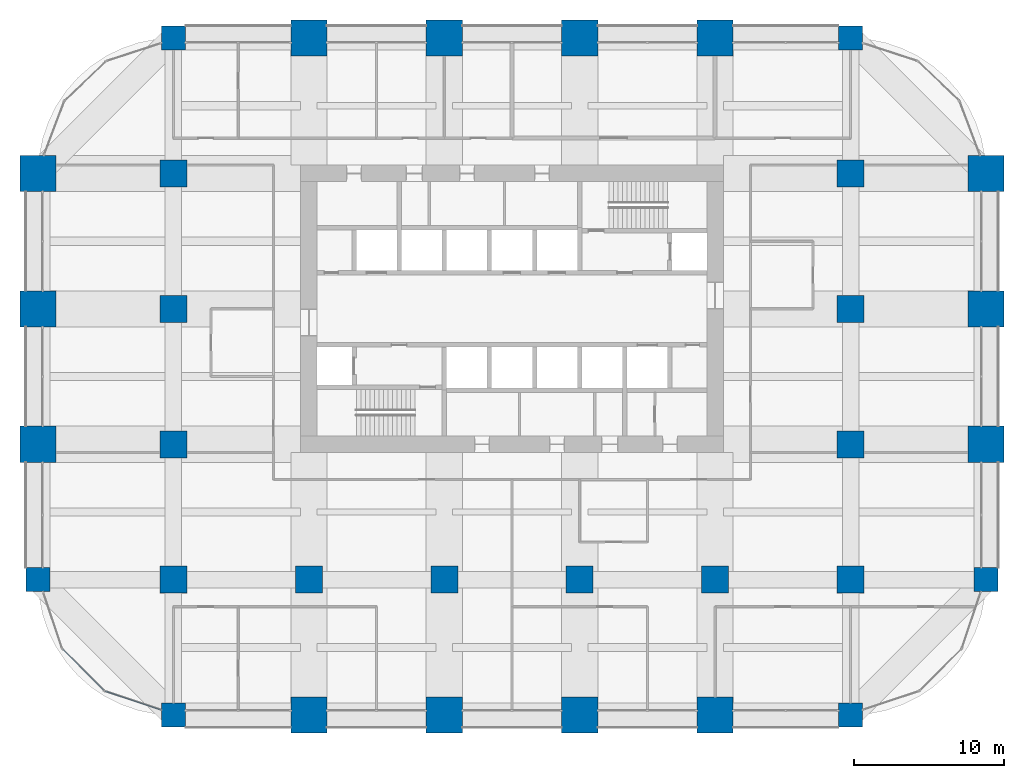
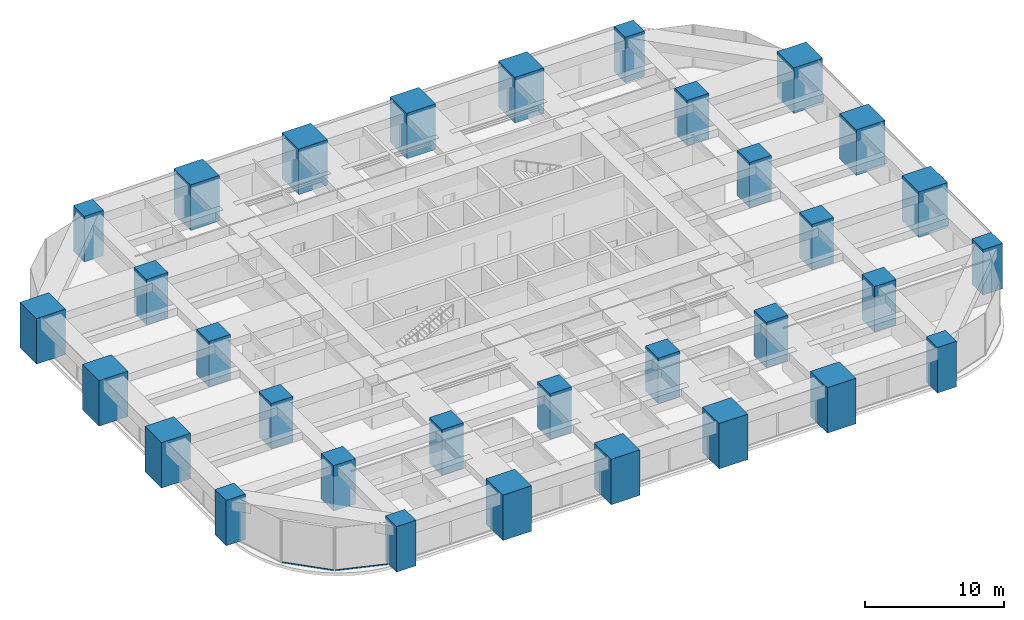
# One storey, part 1 of 42: 32 columns, 2 members, 2 elements without a shape of their own.
"""IFC4 building model written with IfcOpenShell, lengths in metres."""

from ifc_helpers import new_model, si_unit, direction, frame, origin, origin_2d, place, context, subcontext, project, spatial, rectangle, hollow_rectangle, extrude, material, material_profile, profile_set, type_object, element, aggregate, save


model = new_model("IFC4")

# Units and contexts
model_context = context("Model", 3, precision=1e-05, world=origin(), true_north=direction((0.0, 1.0)))
body_context = subcontext(model_context, "Body", "Model", "MODEL_VIEW")
ifc_project = project(units=[si_unit("LENGTHUNIT", "METRE"), si_unit("AREAUNIT", "SQUARE_METRE"), si_unit("VOLUMEUNIT", "CUBIC_METRE"), si_unit("PLANEANGLEUNIT", "RADIAN"), si_unit("MASSUNIT", "GRAM", prefix="KILO")], contexts=[model_context])

# Site, building, storey
site_placement = place(None, origin())
site = spatial("IfcSite", under=ifc_project, at=site_placement, CompositionType="ELEMENT")
building_placement = place(site_placement, origin())
building = spatial("IfcBuilding", under=site, at=building_placement, Name="Zorevar Civic Tower", CompositionType="ELEMENT")
storey_placement = place(building_placement, frame((0.0, 0.0, 149.0)))
storey = spatial("IfcBuildingStorey", under=building, at=storey_placement, Name="L36", CompositionType="ELEMENT", Elevation=149.0)

# Columns
ifc_material_1 = material(Name="Concrete C50/60", Category="concrete")
ifc_material_profile_1 = material_profile(ifc_material_1, rectangle(XDim=1.60009765625, YDim=1.60009765625, at=origin_2d()), Name="RC 1600x1600")
ifc_profile_set_1 = profile_set([ifc_material_profile_1], Name="Concrete C50/60")
column_type_1 = type_object("IfcColumnType", Name="Column RC 1600x1600", PredefinedType="COLUMN", material=ifc_profile_set_1)
for number, where, z_axis, x_axis, name in (
    (1, (0.0, 9.0, 0.0), (0.0, 0.0, 1.0), (1.0, 0.0, 0.0), "Column 2B L36"),
    (2, (9.0, 0.0, 0.0), (0.0, 0.0, 1.0), (1.0, 0.0, 0.0), "Column 3A L36"),
    (3, (9.0, 45.0, 0.0), (0.0, 0.0, 1.0), (1.0, 0.0, 0.0), "Column 3F L36"),
    (4, (54.0, 0.0, 0.0), (0.0, 0.0, 1.0), (1.0, 0.0, 0.0), "Column 8A L36"),
    (5, (54.0, 45.0, 0.0), (0.0, 0.0, 1.0), (1.0, 0.0, 0.0), "Column 8F L36"),
    (6, (63.0, 9.0, 0.0), (0.0, 0.0, 1.0), (1.0, 0.0, 0.0), "Column 9B L36"),
):
    element("IfcColumn", number, at=place(storey_placement, frame(where, z_axis=z_axis, x_axis=x_axis)), inside=storey, type_object=column_type_1, Name=name, PredefinedType="COLUMN", context=body_context, shape_type="SweptSolid", body=[
        extrude(rectangle(XDim=1.60009765625, YDim=1.60009765625, at=origin_2d()), origin(), (0.0, 0.0, 1.0), 4.0),
    ])
ifc_material_2 = material(Name="Concrete C50/60", Category="concrete")
ifc_material_profile_2 = material_profile(ifc_material_2, rectangle(XDim=1.800048828125, YDim=1.800048828125, at=origin_2d()), Name="RC 1800x1800")
ifc_profile_set_2 = profile_set([ifc_material_profile_2], Name="Concrete C50/60")
column_type_2 = type_object("IfcColumnType", Name="Column RC 1800x1800", PredefinedType="COLUMN", material=ifc_profile_set_2)
for number, where, z_axis, x_axis, name in (
    (7, (9.0, 9.0, 0.0), (0.0, 0.0, 1.0), (1.0, 0.0, 0.0), "Column 3B L36"),
    (8, (9.0, 18.0, 0.0), (0.0, 0.0, 1.0), (1.0, 0.0, 0.0), "Column 3C L36"),
    (9, (9.0, 27.0, 0.0), (0.0, 0.0, 1.0), (1.0, 0.0, 0.0), "Column 3D L36"),
    (10, (9.0, 36.0, 0.0), (0.0, 0.0, 1.0), (1.0, 0.0, 0.0), "Column 3E L36"),
    (11, (18.0, 9.0, 0.0), (0.0, 0.0, 1.0), (1.0, 0.0, 0.0), "Column 4B L36"),
    (12, (27.0, 9.0, 0.0), (0.0, 0.0, 1.0), (1.0, 0.0, 0.0), "Column 5B L36"),
    (13, (36.0, 9.0, 0.0), (0.0, 0.0, 1.0), (1.0, 0.0, 0.0), "Column 6B L36"),
    (14, (45.0, 9.0, 0.0), (0.0, 0.0, 1.0), (1.0, 0.0, 0.0), "Column 7B L36"),
    (15, (54.0, 9.0, 0.0), (0.0, 0.0, 1.0), (1.0, 0.0, 0.0), "Column 8B L36"),
    (16, (54.0, 18.0, 0.0), (0.0, 0.0, 1.0), (1.0, 0.0, 0.0), "Column 8C L36"),
    (17, (54.0, 27.0, 0.0), (0.0, 0.0, 1.0), (1.0, 0.0, 0.0), "Column 8D L36"),
    (18, (54.0, 36.0, 0.0), (0.0, 0.0, 1.0), (1.0, 0.0, 0.0), "Column 8E L36"),
):
    element("IfcColumn", number, at=place(storey_placement, frame(where, z_axis=z_axis, x_axis=x_axis)), inside=storey, type_object=column_type_2, Name=name, PredefinedType="COLUMN", context=body_context, shape_type="SweptSolid", body=[
        extrude(rectangle(XDim=1.800048828125, YDim=1.800048828125, at=origin_2d()), origin(), (0.0, 0.0, 1.0), 4.0),
    ])
ifc_material_3 = material(Name="Concrete C50/60", Category="concrete")
ifc_material_profile_3 = material_profile(ifc_material_3, rectangle(XDim=2.39990234375, YDim=2.39990234375, at=origin_2d()), Name="RC 2400x2400")
ifc_profile_set_3 = profile_set([ifc_material_profile_3], Name="Concrete C50/60")
column_type_3 = type_object("IfcColumnType", Name="Mega column RC 2400x2400", PredefinedType="COLUMN", material=ifc_profile_set_3)
for number, where, z_axis, x_axis, name in (
    (19, (0.0, 18.0, 0.0), (0.0, 0.0, 1.0), (1.0, 0.0, 0.0), "Column 2C L36"),
    (20, (0.0, 27.0, 0.0), (0.0, 0.0, 1.0), (1.0, 0.0, 0.0), "Column 2D L36"),
    (21, (0.0, 36.0, 0.0), (0.0, 0.0, 1.0), (1.0, 0.0, 0.0), "Column 2E L36"),
    (22, (18.0, 0.0, 0.0), (0.0, 0.0, 1.0), (1.0, 0.0, 0.0), "Column 4A L36"),
    (23, (18.0, 45.0, 0.0), (0.0, 0.0, 1.0), (1.0, 0.0, 0.0), "Column 4F L36"),
    (24, (27.0, 0.0, 0.0), (0.0, 0.0, 1.0), (1.0, 0.0, 0.0), "Column 5A L36"),
    (25, (27.0, 45.0, 0.0), (0.0, 0.0, 1.0), (1.0, 0.0, 0.0), "Column 5F L36"),
    (26, (36.0, 0.0, 0.0), (0.0, 0.0, 1.0), (1.0, 0.0, 0.0), "Column 6A L36"),
    (27, (36.0, 45.0, 0.0), (0.0, 0.0, 1.0), (1.0, 0.0, 0.0), "Column 6F L36"),
    (28, (45.0, 0.0, 0.0), (0.0, 0.0, 1.0), (1.0, 0.0, 0.0), "Column 7A L36"),
    (29, (45.0, 45.0, 0.0), (0.0, 0.0, 1.0), (1.0, 0.0, 0.0), "Column 7F L36"),
    (30, (63.0, 18.0, 0.0), (0.0, 0.0, 1.0), (1.0, 0.0, 0.0), "Column 9C L36"),
    (31, (63.0, 27.0, 0.0), (0.0, 0.0, 1.0), (1.0, 0.0, 0.0), "Column 9D L36"),
    (32, (63.0, 36.0, 0.0), (0.0, 0.0, 1.0), (1.0, 0.0, 0.0), "Column 9E L36"),
):
    element("IfcColumn", number, at=place(storey_placement, frame(where, z_axis=z_axis, x_axis=x_axis)), inside=storey, type_object=column_type_3, Name=name, PredefinedType="COLUMN", context=body_context, shape_type="SweptSolid", body=[
        extrude(rectangle(XDim=2.39990234375, YDim=2.39990234375, at=origin_2d()), origin(), (0.0, 0.0, 1.0), 4.0),
    ])

# Curtain wall, member
ifc_material_4 = material(Name="Dark grey solar-control glass in black aluminium frame", Category="aluminium")
curtain_wall_type = type_object("IfcCurtainWallType", Name="Curtain wall CW3 mid zone", PredefinedType="NOTDEFINED", material=ifc_material_4)
curtain_wall_1_placement = place(storey_placement, origin())
curtain_wall_1 = element("IfcCurtainWall", 33, at=curtain_wall_1_placement, inside=storey, type_object=curtain_wall_type, Name="CW3 L36", PredefinedType="NOTDEFINED")
ifc_material_5 = material(Name="Aluminium, black anodised", Category="aluminium")
ifc_material_profile_4 = material_profile(ifc_material_5, hollow_rectangle(XDim=0.06005859375, YDim=0.1201171875, WallThickness=0.0029296875, at=origin_2d()), Name="AL 120x60x3")
ifc_profile_set_4 = profile_set([ifc_material_profile_4], Name="Aluminium, black anodised")
member_type = type_object("IfcMemberType", Name="CW3 transom AL 120x60x3", PredefinedType="USERDEFINED", material=ifc_profile_set_4)
member_1_placement = place(storey_placement, frame((1.64501953125, 4.37841796875, 0.030029296875), z_axis=(0.707106781187, -0.707106781187, 0.0), x_axis=(0.707106781187, 0.707106781187, 0.0)))
member_1 = element("IfcMember", 34, at=member_1_placement, type_object=member_type, Name="CW3 sill transom", ObjectType="TRANSOM", PredefinedType="USERDEFINED", context=body_context, shape_type="SweptSolid", body=[
    extrude(hollow_rectangle(XDim=0.06005859375, YDim=0.1201171875, WallThickness=0.0029296875, at=origin_2d()), origin(), (0.0, 0.0, 1.0), 3.86572265625),
])
aggregate(curtain_wall_1, [member_1])

curtain_wall_2_placement = place(storey_placement, origin())
curtain_wall_2 = element("IfcCurtainWall", 35, at=curtain_wall_2_placement, inside=storey, type_object=curtain_wall_type, Name="CW3 L36", PredefinedType="NOTDEFINED")
member_2_placement = place(storey_placement, frame((4.477783203125, 1.583740234375, 0.030029296875), z_axis=(0.94821488093, -0.317629563458, 0.0), x_axis=(0.317629563458, 0.94821488093, 0.0)))
member_2 = element("IfcMember", 36, at=member_2_placement, type_object=member_type, Name="CW3 sill transom", ObjectType="TRANSOM", PredefinedType="USERDEFINED", context=body_context, shape_type="SweptSolid", body=[
    extrude(hollow_rectangle(XDim=0.06005859375, YDim=0.1201171875, WallThickness=0.0029296875, at=origin_2d()), origin(), (0.0, 0.0, 1.0), 3.865478515625),
])
aggregate(curtain_wall_2, [member_2])

save(model, "model.ifc")
